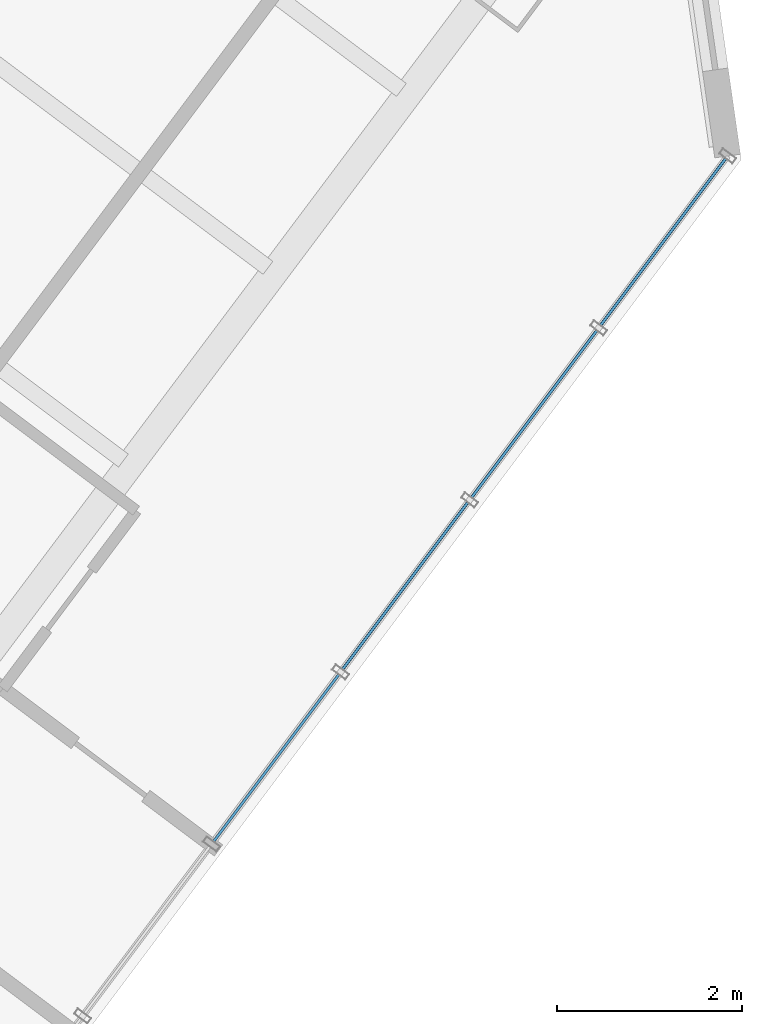
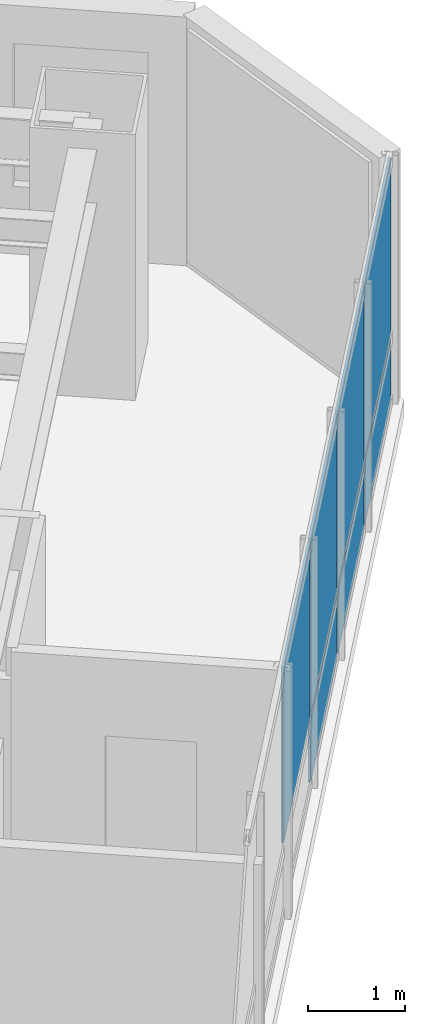
# One storey, part 21 of 33: 7 plates, 1 element without a shape of its own.
"""IFC4 building model written with IfcOpenShell, lengths in metres."""

from ifc_helpers import new_model, si_unit, direction, frame, origin, origin_2d, place, context, subcontext, project, spatial, rectangle, extrude, material, layer, layer_set, type_object, element, aggregate, save


model = new_model("IFC4")

# Units and contexts
model_context = context("Model", 3, precision=1e-05, world=origin(), true_north=direction((0.0, 1.0)))
body_context = subcontext(model_context, "Body", "Model", "MODEL_VIEW")
ifc_project = project(units=[si_unit("LENGTHUNIT", "METRE"), si_unit("AREAUNIT", "SQUARE_METRE"), si_unit("VOLUMEUNIT", "CUBIC_METRE"), si_unit("PLANEANGLEUNIT", "RADIAN"), si_unit("MASSUNIT", "GRAM", prefix="KILO")], contexts=[model_context])

# Site, building, storey
site_placement = place(None, origin())
site = spatial("IfcSite", under=ifc_project, at=site_placement, CompositionType="ELEMENT")
building_placement = place(site_placement, origin())
building = spatial("IfcBuilding", under=site, at=building_placement, Name="Hatsunagi Terrace Concourse", CompositionType="ELEMENT")
storey_placement = place(building_placement, frame((0.0, 0.0, 43.300048828125)))
storey = spatial("IfcBuildingStorey", under=building, at=storey_placement, Name="L10", CompositionType="ELEMENT", Elevation=43.300048828125)

# Curtain wall, plates
ifc_material_1 = material(Name="Anodised Aluminium Alloy 6063-T5", Category="aluminium")
ifc_layer_1 = layer(ifc_material_1, 0.199951171875)
ifc_layer_set_1 = layer_set([ifc_layer_1], Name="HotelFacade_CW02")
curtain_wall_type = type_object("IfcCurtainWallType", Name="HotelFacade_CW02", PredefinedType="NOTDEFINED", material=ifc_layer_set_1)
curtain_wall_placement = place(storey_placement, origin())
curtain_wall = element("IfcCurtainWall", 1, at=curtain_wall_placement, inside=storey, type_object=curtain_wall_type, Name="Unitised Curtain Wall CW-02 CW-L10-03", PredefinedType="NOTDEFINED")
ifc_material_2 = material(Name="Warm Terracotta Ceramic Spandrel Panel", Category="masonry")
ifc_layer_2 = layer(ifc_material_2, 0.031982421875)
ifc_layer_set_2 = layer_set([ifc_layer_2], Name="CurtainWallSpandrelPanel_32")
plate_type_1 = type_object("IfcPlateType", Name="CurtainWallSpandrelPanel_32", PredefinedType="SHEET", material=ifc_layer_set_2)
plate_1_placement = place(storey_placement, frame((68.39697265625, 18.72998046875, 0.030029296875), z_axis=(0.0, 0.0, 1.0), x_axis=(-0.599969314634, -0.800023013105, 0.0)))
plate_1 = element("IfcPlate", 2, at=plate_1_placement, type_object=plate_type_1, Name="Terracotta Spandrel Panel SPN-01", PredefinedType="SHEET", context=body_context, shape_type="SweptSolid", body=[
    extrude(rectangle(XDim=2.264892578125, YDim=0.031982421875, at=origin_2d()), origin(), (0.0, 0.0, 1.0), 0.7900390625),
])
plate_2_placement = place(storey_placement, frame((67.0048828125, 16.873046875, 0.030029296875), z_axis=(0.0, 0.0, 1.0), x_axis=(-0.599969314634, -0.800023013105, 0.0)))
plate_2 = element("IfcPlate", 3, at=plate_2_placement, type_object=plate_type_1, Name="Terracotta Spandrel Panel SPN-01", PredefinedType="SHEET", context=body_context, shape_type="SweptSolid", body=[
    extrude(rectangle(XDim=2.264892578125, YDim=0.031982421875, at=origin_2d()), origin(), (0.0, 0.0, 1.0), 0.7900390625),
])
plate_3_placement = place(storey_placement, frame((65.612060546875, 15.01708984375, 0.030029296875), z_axis=(0.0, 0.0, 1.0), x_axis=(-0.599969314634, -0.800023013105, 0.0)))
plate_3 = element("IfcPlate", 4, at=plate_3_placement, type_object=plate_type_1, Name="Terracotta Spandrel Panel SPN-01", PredefinedType="SHEET", context=body_context, shape_type="SweptSolid", body=[
    extrude(rectangle(XDim=2.264892578125, YDim=0.031982421875, at=origin_2d()), origin(), (0.0, 0.0, 1.0), 0.7900390625),
])
ifc_material_3 = material(Name="Low-E Double Insulating Glass 28mm", Category="glass")
ifc_layer_3 = layer(ifc_material_3, 0.028076171875)
ifc_layer_set_3 = layer_set([ifc_layer_3], Name="CurtainWallVisionGlass_28")
plate_type_2 = type_object("IfcPlateType", Name="CurtainWallVisionGlass_28", PredefinedType="CURTAIN_PANEL", material=ifc_layer_set_3)
plate_4_placement = place(storey_placement, frame((68.39697265625, 18.72998046875, 0.8798828125), z_axis=(0.0, 0.0, 1.0), x_axis=(-0.599969314634, -0.800023013105, 0.0)))
plate_4 = element("IfcPlate", 5, at=plate_4_placement, type_object=plate_type_2, Name="Low-E Vision Glass Panel GLZ-01", PredefinedType="CURTAIN_PANEL", context=body_context, shape_type="SweptSolid", body=[
    extrude(rectangle(XDim=2.264892578125, YDim=0.028076171875, at=origin_2d()), origin(), (0.0, 0.0, 1.0), 2.219970703125),
])
plate_5_placement = place(storey_placement, frame((67.0048828125, 16.873046875, 0.8798828125), z_axis=(0.0, 0.0, 1.0), x_axis=(-0.599969314634, -0.800023013105, 0.0)))
plate_5 = element("IfcPlate", 6, at=plate_5_placement, type_object=plate_type_2, Name="Low-E Vision Glass Panel GLZ-01", PredefinedType="CURTAIN_PANEL", context=body_context, shape_type="SweptSolid", body=[
    extrude(rectangle(XDim=2.264892578125, YDim=0.028076171875, at=origin_2d()), origin(), (0.0, 0.0, 1.0), 2.219970703125),
])
plate_6_placement = place(storey_placement, frame((65.612060546875, 15.01708984375, 0.8798828125), z_axis=(0.0, 0.0, 1.0), x_axis=(-0.599969314634, -0.800023013105, 0.0)))
plate_6 = element("IfcPlate", 7, at=plate_6_placement, type_object=plate_type_2, Name="Low-E Vision Glass Panel GLZ-01", PredefinedType="CURTAIN_PANEL", context=body_context, shape_type="SweptSolid", body=[
    extrude(rectangle(XDim=2.264892578125, YDim=0.028076171875, at=origin_2d()), origin(), (0.0, 0.0, 1.0), 2.219970703125),
])
plate_7_placement = place(storey_placement, frame((64.219970703125, 13.159912109375, 0.8798828125), z_axis=(0.0, 0.0, 1.0), x_axis=(-0.599969314634, -0.800023013105, 0.0)))
plate_7 = element("IfcPlate", 8, at=plate_7_placement, type_object=plate_type_2, Name="Low-E Vision Glass Panel GLZ-01", PredefinedType="CURTAIN_PANEL", context=body_context, shape_type="SweptSolid", body=[
    extrude(rectangle(XDim=2.264892578125, YDim=0.028076171875, at=origin_2d()), origin(), (0.0, 0.0, 1.0), 2.219970703125),
])
aggregate(curtain_wall, [plate_1, plate_4, plate_2, plate_5, plate_3, plate_6, plate_7])

save(model, "model.ifc")
